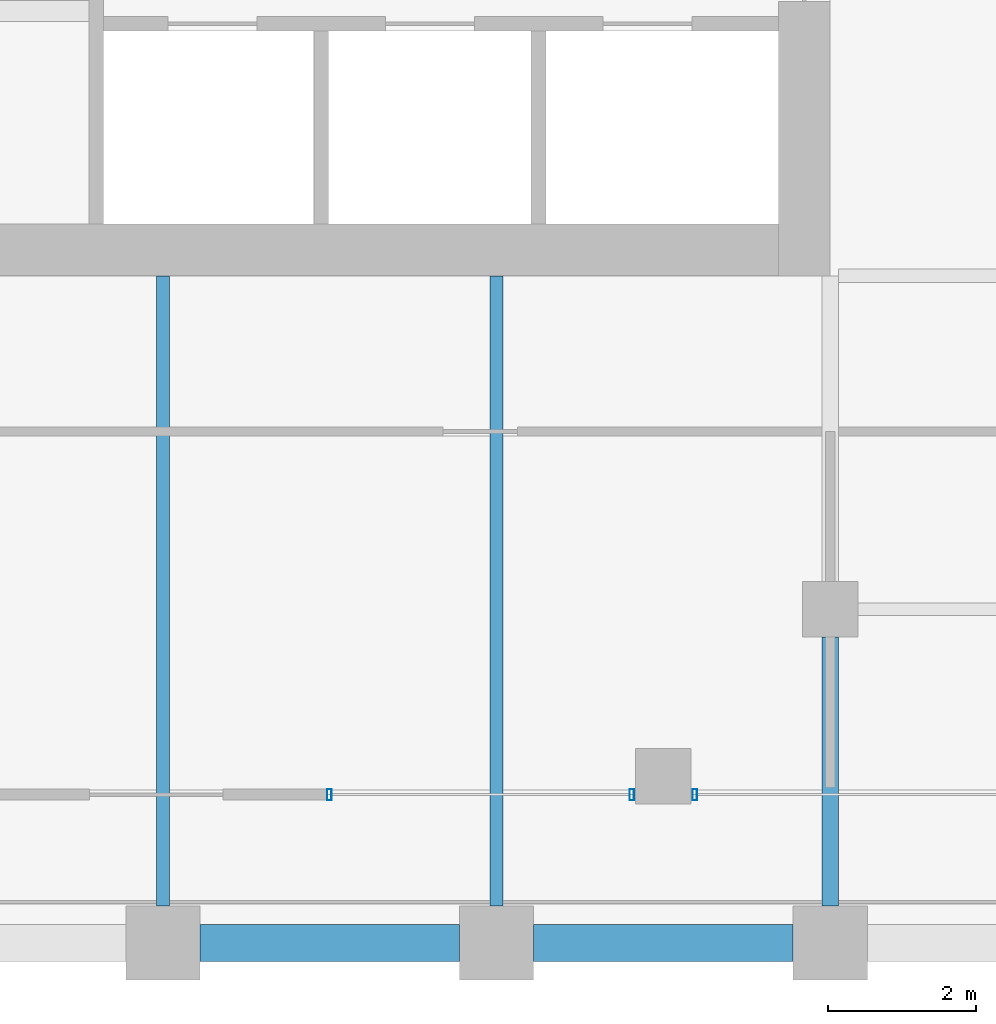
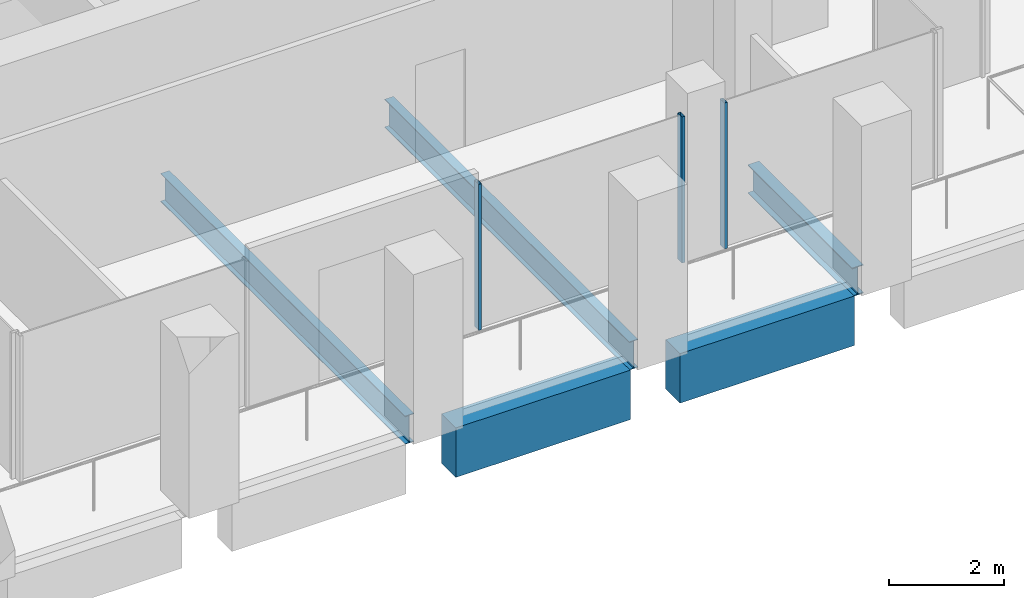
# One storey, part 31 of 45: 5 beams, 3 members, 2 elements without a shape of their own.
"""IFC4 building model written with IfcOpenShell, lengths in metres."""

from ifc_helpers import new_model, si_unit, direction, frame, origin, origin_2d, place, context, subcontext, project, spatial, rectangle, hollow_rectangle, i_section, extrude, material, material_profile, profile_set, type_object, element, aggregate, save


model = new_model("IFC4")

# Units and contexts
model_context = context("Model", 3, precision=1e-05, world=origin(), true_north=direction((0.0, 1.0)))
body_context = subcontext(model_context, "Body", "Model", "MODEL_VIEW")
ifc_project = project(units=[si_unit("LENGTHUNIT", "METRE"), si_unit("AREAUNIT", "SQUARE_METRE"), si_unit("VOLUMEUNIT", "CUBIC_METRE"), si_unit("PLANEANGLEUNIT", "RADIAN"), si_unit("MASSUNIT", "GRAM", prefix="KILO")], contexts=[model_context])

# Site, building, storey
site_placement = place(None, origin())
site = spatial("IfcSite", under=ifc_project, at=site_placement, CompositionType="ELEMENT")
building_placement = place(site_placement, origin())
building = spatial("IfcBuilding", under=site, at=building_placement, Name="Altepetl Exchange Towers", CompositionType="ELEMENT")
storey_placement = place(building_placement, frame((0.0, 0.0, 110.0)))
storey = spatial("IfcBuildingStorey", under=building, at=storey_placement, Name="L27", CompositionType="ELEMENT", Elevation=110.0)

# Beams
ifc_material_1 = material(Name="Steel S355", Category="steel")
ifc_material_profile_1 = material_profile(ifc_material_1, i_section(OverallWidth=0.177978515625, OverallDepth=0.59912109375, WebThickness=0.010009765625, FlangeThickness=0.0126953125, at=origin_2d()), Name="W24X55")
ifc_profile_set_1 = profile_set([ifc_material_profile_1], Name="Steel S355")
beam_type_1 = type_object("IfcBeamType", Name="Floor beam W24X55", PredefinedType="BEAM", material=ifc_profile_set_1)
for number, where, z_axis, x_axis, name in (
    (1, (108.0, 27.5, -0.449462890625), (0.0, 1.0, 0.0), (-1.0, 0.0, 0.0), "bm:B:L27:006"),
    (2, (112.5, 27.5, -0.449462890625), (0.0, 1.0, 0.0), (-1.0, 0.0, 0.0), "bm:B:L27:007"),
):
    element("IfcBeam", number, at=place(storey_placement, frame(where, z_axis=z_axis, x_axis=x_axis)), inside=storey, type_object=beam_type_1, Name=name, PredefinedType="BEAM", context=body_context, shape_type="SweptSolid", body=[
        extrude(i_section(OverallWidth=0.177978515625, OverallDepth=0.59912109375, WebThickness=0.010009765625, FlangeThickness=0.0126953125, at=origin_2d()), origin(), (0.0, 0.0, 1.0), 8.5),
    ])
ifc_material_profile_2 = material_profile(ifc_material_1, i_section(OverallWidth=0.22802734375, OverallDepth=0.60791015625, WebThickness=0.01123046875, FlangeThickness=0.017333984375, at=origin_2d()), Name="W24X76")
ifc_profile_set_2 = profile_set([ifc_material_profile_2], Name="Steel S355")
beam_type_2 = type_object("IfcBeamType", Name="Girder W24X76", PredefinedType="BEAM", material=ifc_profile_set_2)
beam_placement = place(storey_placement, frame((117.0, 31.125, -0.4541015625), z_axis=(0.0, -1.0, 0.0), x_axis=(1.0, 0.0, 0.0)))
element("IfcBeam", 3, at=beam_placement, inside=storey, type_object=beam_type_2, Name="gd:B:L27:001", PredefinedType="BEAM", context=body_context, shape_type="SweptSolid", body=[
    extrude(i_section(OverallWidth=0.22802734375, OverallDepth=0.60791015625, WebThickness=0.01123046875, FlangeThickness=0.017333984375, at=origin_2d()), origin(), (0.0, 0.0, 1.0), 3.625),
])

# Curtain wall, members
ifc_material_2 = material(Name="Aluminium 6063-T6 glazing", Category="aluminium")
curtain_wall_type = type_object("IfcCurtainWallType", Name="Loggia glazing system", PredefinedType="NOTDEFINED", material=ifc_material_2)
curtain_wall_1_placement = place(storey_placement, origin())
curtain_wall_1 = element("IfcCurtainWall", 4, at=curtain_wall_1_placement, inside=storey, type_object=curtain_wall_type, Name="CW1 run", PredefinedType="NOTDEFINED")
ifc_material_3 = material(Name="Aluminium 6063-T6", Category="aluminium")
ifc_material_profile_3 = material_profile(ifc_material_3, hollow_rectangle(XDim=0.06005859375, YDim=0.14990234375, WallThickness=0.0029296875, at=origin_2d()), Name="Mullion 60x150 aluminium")
ifc_profile_set_3 = profile_set([ifc_material_profile_3], Name="Aluminium 6063-T6")
member_type = type_object("IfcMemberType", Name="Mullion 60x150 aluminium", PredefinedType="MULLION", material=ifc_profile_set_3)
member_1_placement = place(storey_placement, frame((110.242431640625, 29.0, 0.0)))
member_1 = element("IfcMember", 5, at=member_1_placement, type_object=member_type, Name="MU1 mullion", PredefinedType="MULLION", context=body_context, shape_type="SweptSolid", body=[
    extrude(hollow_rectangle(XDim=0.06005859375, YDim=0.14990234375, WallThickness=0.0029296875, at=origin_2d()), origin(), (0.0, 0.0, 1.0), 3.10009765625),
])
member_2_placement = place(storey_placement, frame((114.324951171875, 29.0, 0.0)))
member_2 = element("IfcMember", 6, at=member_2_placement, type_object=member_type, Name="MU1 mullion", PredefinedType="MULLION", context=body_context, shape_type="SweptSolid", body=[
    extrude(hollow_rectangle(XDim=0.06005859375, YDim=0.14990234375, WallThickness=0.0029296875, at=origin_2d()), origin(), (0.0, 0.0, 1.0), 3.10009765625),
])
aggregate(curtain_wall_1, [member_1, member_2])

# Curtain wall, member
curtain_wall_2_placement = place(storey_placement, origin())
curtain_wall_2 = element("IfcCurtainWall", 7, at=curtain_wall_2_placement, inside=storey, type_object=curtain_wall_type, Name="CW1 run", PredefinedType="NOTDEFINED")
member_3_placement = place(storey_placement, frame((115.175048828125, 29.0, 0.0)))
member_3 = element("IfcMember", 8, at=member_3_placement, type_object=member_type, Name="MU1 mullion", PredefinedType="MULLION", context=body_context, shape_type="SweptSolid", body=[
    extrude(hollow_rectangle(XDim=0.06005859375, YDim=0.14990234375, WallThickness=0.0029296875, at=origin_2d()), origin(), (0.0, 0.0, 1.0), 3.10009765625),
])
aggregate(curtain_wall_2, [member_3])

# Beams
ifc_material_4 = material(Name="Concrete C50/60 precast with tezontle facing", Category="concrete")
ifc_material_profile_4 = material_profile(ifc_material_4, rectangle(XDim=0.5, YDim=1.050048828125, at=origin_2d()), Name="500 x 1050")
ifc_profile_set_4 = profile_set([ifc_material_profile_4], Name="Concrete C50/60 precast with tezontle facing")
beam_type_3 = type_object("IfcBeamType", Name="Spandrel beam 500x1050 tezontle", PredefinedType="SPANDREL", material=ifc_profile_set_4)
for number, where, z_axis, x_axis, name in (
    (9, (108.5, 27.0, -0.675048828125), (1.0, 0.0, 0.0), (0.0, 1.0, 0.0), "sp:B:L27:002"),
    (10, (113.0, 27.0, -0.675048828125), (1.0, 0.0, 0.0), (0.0, 1.0, 0.0), "sp:B:L27:003"),
):
    element("IfcBeam", number, at=place(storey_placement, frame(where, z_axis=z_axis, x_axis=x_axis)), inside=storey, type_object=beam_type_3, Name=name, PredefinedType="SPANDREL", context=body_context, shape_type="SweptSolid", body=[
        extrude(rectangle(XDim=0.5, YDim=1.050048828125, at=origin_2d()), origin(), (0.0, 0.0, 1.0), 3.5),
    ])

save(model, "model.ifc")
